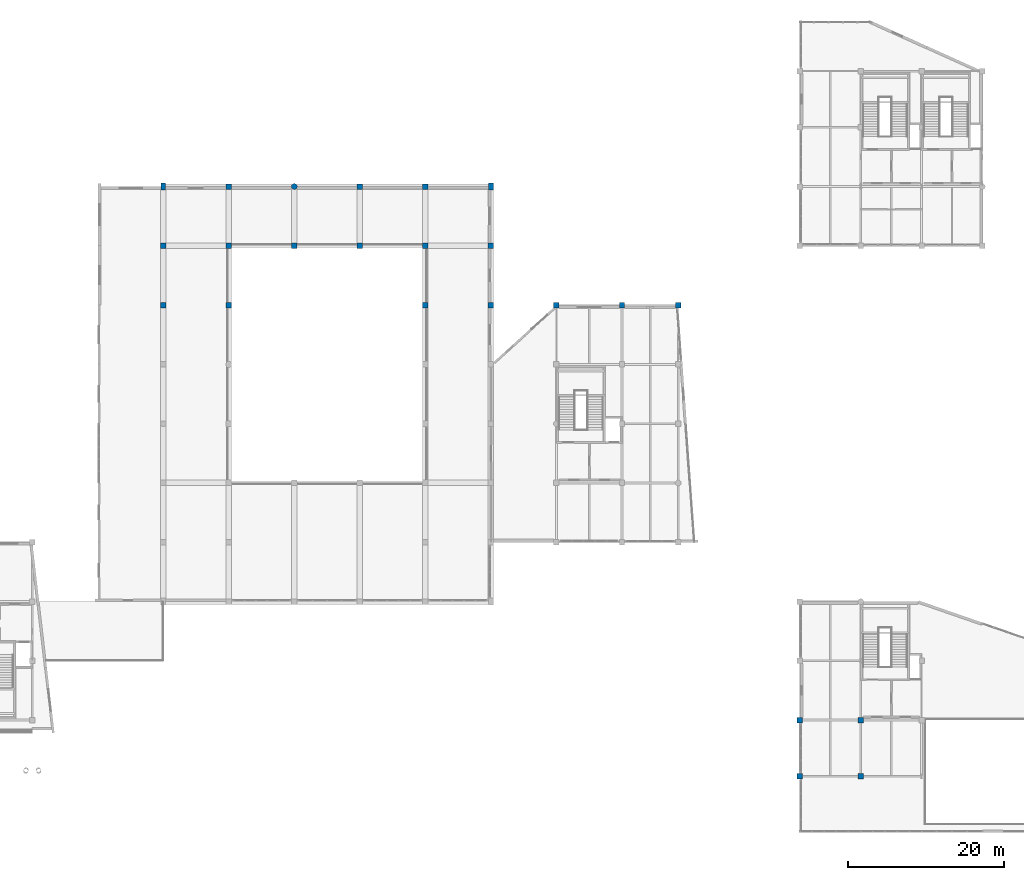
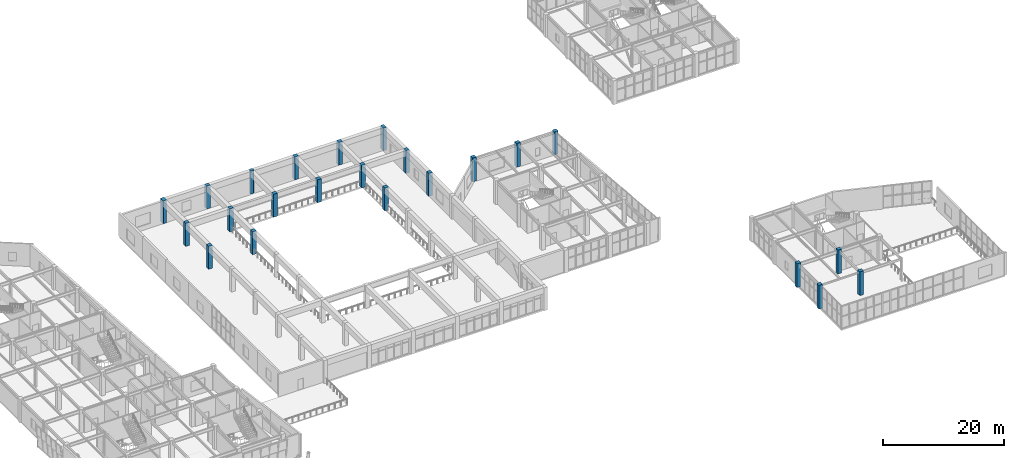
# One storey, part 6 of 72: 23 columns.
"""IFC4 building model written with IfcOpenShell, lengths in metres."""

from ifc_helpers import new_model, si_unit, direction, frame, origin, origin_2d, place, context, subcontext, project, spatial, rectangle, circle, extrude, material, material_profile, profile_set, type_object, element, save


model = new_model("IFC4")

# Units and contexts
model_context = context("Model", 3, precision=1e-05, world=origin(), true_north=direction((0.0, 1.0)))
body_context = subcontext(model_context, "Body", "Model", "MODEL_VIEW")
ifc_project = project(units=[si_unit("LENGTHUNIT", "METRE"), si_unit("AREAUNIT", "SQUARE_METRE"), si_unit("VOLUMEUNIT", "CUBIC_METRE"), si_unit("PLANEANGLEUNIT", "RADIAN"), si_unit("MASSUNIT", "GRAM", prefix="KILO")], contexts=[model_context])

# Site, building, storey
site_placement = place(None, origin())
site = spatial("IfcSite", under=ifc_project, at=site_placement, CompositionType="ELEMENT")
building_placement = place(site_placement, origin())
building = spatial("IfcBuilding", under=site, at=building_placement, Name="Xicomal Pleat Aquarium", CompositionType="ELEMENT")
storey_placement = place(building_placement, frame((0.0, 0.0, 10.5)))
storey = spatial("IfcBuildingStorey", under=building, at=storey_placement, Name="L03", CompositionType="ELEMENT", Elevation=10.5)

# Columns
ifc_material_1 = material(Name="Concrete C40/50", Category="concrete")
ifc_material_profile_1 = material_profile(ifc_material_1, rectangle(XDim=0.60009765625, YDim=0.89990234375, at=origin_2d()), Name="RC 600x900")
ifc_profile_set_1 = profile_set([ifc_material_profile_1], Name="Concrete C40/50")
column_type_1 = type_object("IfcColumnType", Name="COL-RC-600x900", PredefinedType="COLUMN", material=ifc_profile_set_1)
for number, where, z_axis, x_axis, name in (
    (1, (52.199951171875, 83.60009765625, 0.0), (0.0, 0.0, 1.0), (1.0, 0.0, 0.0), "L03 column 07/M"),
    (2, (94.199951171875, 83.60009765625, 0.0), (0.0, 0.0, 1.0), (1.0, 0.0, 0.0), "L03 column 12/M"),
):
    element("IfcColumn", number, at=place(storey_placement, frame(where, z_axis=z_axis, x_axis=x_axis)), inside=storey, type_object=column_type_1, Name=name, PredefinedType="COLUMN", context=body_context, shape_type="SweptSolid", body=[
        extrude(rectangle(XDim=0.60009765625, YDim=0.89990234375, at=origin_2d()), origin(), (0.0, 0.0, 1.0), 4.635009765625),
    ])
ifc_material_2 = material(Name="Concrete C40/50", Category="concrete")
ifc_material_profile_2 = material_profile(ifc_material_2, rectangle(XDim=0.699951171875, YDim=0.699951171875, at=origin_2d()), Name="RC 700x700")
ifc_profile_set_2 = profile_set([ifc_material_profile_2], Name="Concrete C40/50")
column_type_2 = type_object("IfcColumnType", Name="COL-RC-700x700", PredefinedType="COLUMN", material=ifc_profile_set_2)
for number, where, z_axis, x_axis, name in (
    (3, (52.199951171875, 68.39990234375, 0.0), (0.0, 0.0, 1.0), (1.0, 0.0, 0.0), "L03 column 07/K"),
    (4, (52.199951171875, 76.0, 0.0), (0.0, 0.0, 1.0), (1.0, 0.0, 0.0), "L03 column 07/L"),
    (5, (60.60009765625, 68.39990234375, 0.0), (0.0, 0.0, 1.0), (1.0, 0.0, 0.0), "L03 column 08/K"),
    (6, (60.60009765625, 76.0, 0.0), (0.0, 0.0, 1.0), (1.0, 0.0, 0.0), "L03 column 08/L"),
    (7, (60.60009765625, 83.60009765625, 0.0), (0.0, 0.0, 1.0), (1.0, 0.0, 0.0), "L03 column 08/M"),
    (8, (69.0, 76.0, 0.0), (0.0, 0.0, 1.0), (1.0, 0.0, 0.0), "L03 column 09/L"),
    (9, (77.39990234375, 76.0, 0.0), (0.0, 0.0, 1.0), (1.0, 0.0, 0.0), "L03 column 10/L"),
    (10, (77.39990234375, 83.60009765625, 0.0), (0.0, 0.0, 1.0), (1.0, 0.0, 0.0), "L03 column 10/M"),
    (11, (85.800048828125, 68.39990234375, 0.0), (0.0, 0.0, 1.0), (1.0, 0.0, 0.0), "L03 column 11/K"),
    (12, (85.800048828125, 76.0, 0.0), (0.0, 0.0, 1.0), (1.0, 0.0, 0.0), "L03 column 11/L"),
    (13, (85.800048828125, 83.60009765625, 0.0), (0.0, 0.0, 1.0), (1.0, 0.0, 0.0), "L03 column 11/M"),
    (14, (94.199951171875, 68.39990234375, 0.0), (0.0, 0.0, 1.0), (1.0, 0.0, 0.0), "L03 column 12/K"),
    (15, (94.199951171875, 76.0, 0.0), (0.0, 0.0, 1.0), (1.0, 0.0, 0.0), "L03 column 12/L"),
):
    element("IfcColumn", number, at=place(storey_placement, frame(where, z_axis=z_axis, x_axis=x_axis)), inside=storey, type_object=column_type_2, Name=name, PredefinedType="COLUMN", context=body_context, shape_type="SweptSolid", body=[
        extrude(rectangle(XDim=0.699951171875, YDim=0.699951171875, at=origin_2d()), origin(), (0.0, 0.0, 1.0), 4.635009765625),
    ])
for number, where, z_axis, x_axis, name in (
    (16, (102.60009765625, 68.39990234375, 0.0), (0.0, 0.0, 1.0), (1.0, 0.0, 0.0), "L03 column 13/K"),
    (17, (111.0, 68.39990234375, 0.0), (0.0, 0.0, 1.0), (1.0, 0.0, 0.0), "L03 column 14/K"),
):
    element("IfcColumn", number, at=place(storey_placement, frame(where, z_axis=z_axis, x_axis=x_axis)), inside=storey, type_object=column_type_2, Name=name, PredefinedType="COLUMN", context=body_context, shape_type="SweptSolid", body=[
        extrude(rectangle(XDim=0.699951171875, YDim=0.699951171875, at=origin_2d()), origin(), (0.0, 0.0, 1.0), 4.800048828125),
    ])
column_1_placement = place(storey_placement, frame((118.199951171875, 68.39990234375, 0.0), z_axis=(0.0, 0.0, 1.0), x_axis=(1.0, 0.0, 0.0)))
element("IfcColumn", 18, at=column_1_placement, inside=storey, type_object=column_type_2, Name="L03 column 15/K", PredefinedType="COLUMN", context=body_context, shape_type="SweptSolid", body=[
    extrude(rectangle(XDim=0.699951171875, YDim=0.699951171875, at=origin_2d()), origin(), (0.0, 0.0, 1.0), 4.610107421875),
])
for number, where, z_axis, x_axis, name in (
    (19, (133.800048828125, 8.0, 0.0), (0.0, 0.0, 1.0), (1.0, 0.0, 0.0), "L03 column 17/B"),
    (20, (133.800048828125, 15.199951171875, 0.0), (0.0, 0.0, 1.0), (1.0, 0.0, 0.0), "L03 column 17/C"),
    (21, (141.60009765625, 8.0, 0.0), (0.0, 0.0, 1.0), (1.0, 0.0, 0.0), "L03 column 18/B"),
    (22, (141.60009765625, 15.199951171875, 0.0), (0.0, 0.0, 1.0), (1.0, 0.0, 0.0), "L03 column 18/C"),
):
    element("IfcColumn", number, at=place(storey_placement, frame(where, z_axis=z_axis, x_axis=x_axis)), inside=storey, type_object=column_type_2, Name=name, PredefinedType="COLUMN", context=body_context, shape_type="SweptSolid", body=[
        extrude(rectangle(XDim=0.699951171875, YDim=0.699951171875, at=origin_2d()), origin(), (0.0, 0.0, 1.0), 4.800048828125),
    ])
ifc_material_3 = material(Name="Concrete C40/50", Category="concrete")
ifc_material_profile_3 = material_profile(ifc_material_3, circle(Radius=0.375, at=origin_2d()), Name="RCC D750")
ifc_profile_set_3 = profile_set([ifc_material_profile_3], Name="Concrete C40/50")
column_type_3 = type_object("IfcColumnType", Name="COL-RCC-D750", PredefinedType="COLUMN", material=ifc_profile_set_3)
column_2_placement = place(storey_placement, frame((69.0, 83.60009765625, 0.0), z_axis=(0.0, 0.0, 1.0), x_axis=(1.0, 0.0, 0.0)))
element("IfcColumn", 23, at=column_2_placement, inside=storey, type_object=column_type_3, Name="L03 column 09/M", PredefinedType="COLUMN", context=body_context, shape_type="SweptSolid", body=[
    extrude(circle(Radius=0.375, at=origin_2d()), origin(), (0.0, 0.0, 1.0), 4.635009765625),
])

save(model, "model.ifc")
